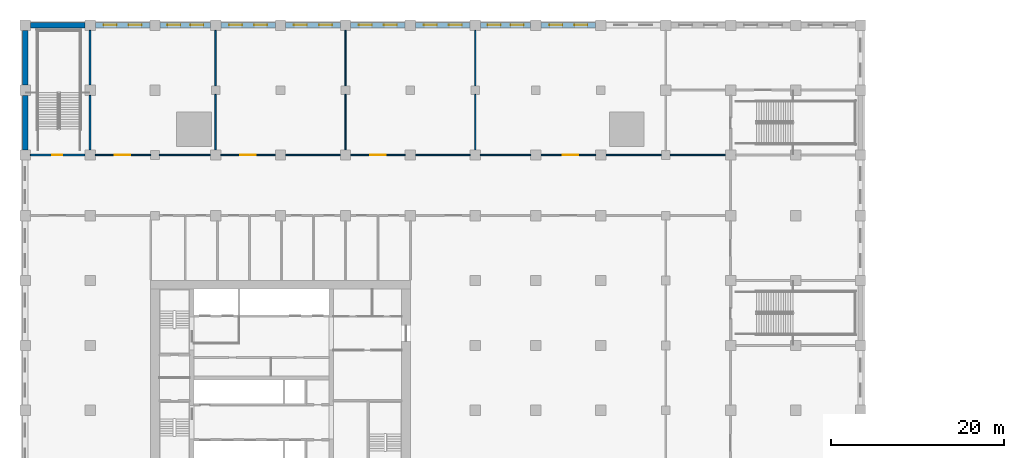
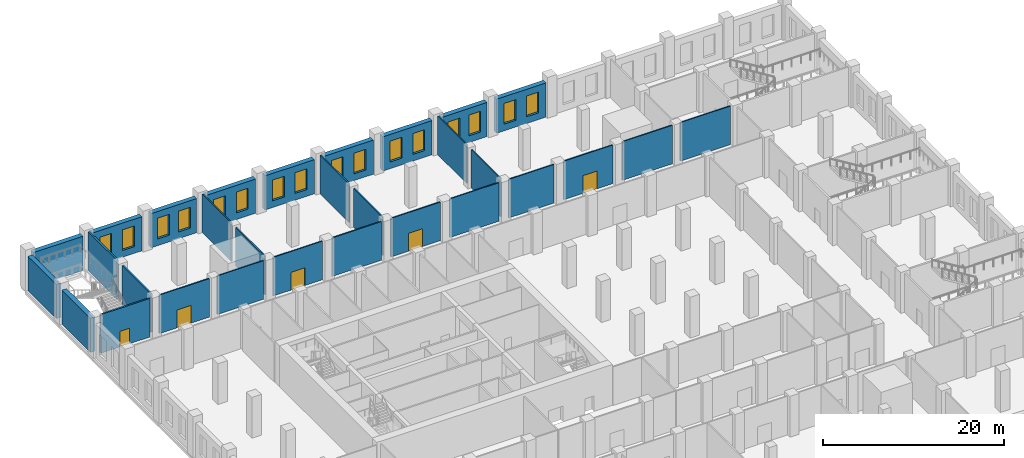
# One storey, part 12 of 35: 30 walls, 16 windows, 5 doors, 21 openings.
"""IFC4 building model written with IfcOpenShell, lengths in metres."""

from ifc_helpers import new_model, si_unit, direction, frame, frame_2d, origin, place, context, subcontext, project, spatial, rectangle, extrude, material, layer, layer_set, type_object, element, fill, save


model = new_model("IFC4")

# Units and contexts
model_context = context("Model", 3, precision=1e-05, world=origin(), true_north=direction((0.0, 1.0)))
body_context = subcontext(model_context, "Body", "Model", "MODEL_VIEW")
ifc_project = project(units=[si_unit("LENGTHUNIT", "METRE"), si_unit("AREAUNIT", "SQUARE_METRE"), si_unit("VOLUMEUNIT", "CUBIC_METRE"), si_unit("PLANEANGLEUNIT", "RADIAN"), si_unit("MASSUNIT", "GRAM", prefix="KILO")], contexts=[model_context])

# Site, building, storey
site_placement = place(None, origin())
site = spatial("IfcSite", under=ifc_project, at=site_placement, CompositionType="ELEMENT")
building_placement = place(site_placement, origin())
building = spatial("IfcBuilding", under=site, at=building_placement, Name="Tamorin Gate", CompositionType="ELEMENT")
storey_placement = place(building_placement, frame((0.0, 0.0, 8.0)))
storey = spatial("IfcBuildingStorey", under=building, at=storey_placement, Name="L01", CompositionType="ELEMENT", Elevation=8.0)

# Wall, opening, door
ifc_material_1 = material(Name="Concrete masonry C20/25", Category="masonry")
ifc_layer_1 = layer(ifc_material_1, 0.14990234375)
ifc_layer_set_1 = layer_set([ifc_layer_1], Name="Partition 150")
wall_type_1 = type_object("IfcWallType", Name="Partition 150", PredefinedType="PARTITIONING", material=ifc_layer_set_1)
wall_1_placement = place(storey_placement, frame((30.0, 97.0, 0.0), z_axis=(0.0, 0.0, 1.0), x_axis=(-1.0, 0.0, 0.0)))
wall_1 = element("IfcWall", 1, at=wall_1_placement, inside=storey, type_object=wall_type_1, Name="Partition 150 L01", PredefinedType="PARTITIONING", context=body_context, shape_type="SweptSolid", body=[
    extrude(rectangle(XDim=6.39990234375, YDim=0.14990234375, at=frame_2d((3.199951171875, 0.0))), origin(), (0.0, 0.0, 1.0), 5.199951171875),
])
opening_1_placement = place(wall_1_placement, frame((2.35009765625, 0.0, 0.0)))
opening_1 = element("IfcOpeningElement", 2, at=opening_1_placement, cuts=wall_1, Name="Opening DP3", PredefinedType="OPENING", context=body_context, shape_type="SweptSolid", body=[
    extrude(rectangle(XDim=1.800048828125, YDim=2.39990234375, at=frame_2d((0.89990234375, 1.199951171875))), frame((0.0, 0.0849609375, 0.0), z_axis=(0.0, -1.0, 0.0), x_axis=(1.0, 0.0, 0.0)), (0.0, 0.0, 1.0), 0.169921875),
])
ifc_material_2 = material(Name="Steel and glass", Category="steel")
door_type_1 = type_object("IfcDoorType", Name="Door pair 1800", OperationType="DOUBLE_DOOR_SINGLE_SWING", PredefinedType="DOOR", material=ifc_material_2)
door_1_placement = place(opening_1_placement, origin())
door_1 = element("IfcDoor", 3, at=door_1_placement, inside=storey, type_object=door_type_1, Name="Door pair 1800 L01", OperationType="SINGLE_SWING_LEFT", OverallHeight=2.39990234375, OverallWidth=1.800048828125, PredefinedType="DOOR", context=body_context, shape_type="SweptSolid", body=[
    extrude(rectangle(XDim=1.800048828125, YDim=2.39990234375, at=frame_2d((0.89990234375, 1.199951171875))), frame((0.0, 0.02490234375, 0.0), z_axis=(0.0, -1.0, 0.0), x_axis=(1.0, 0.0, 0.0)), (0.0, 0.0, 1.0), 0.050048828125),
])
fill(opening_1, door_1)

# Wall
wall_2_placement = place(storey_placement, frame((31.0, 97.0, 0.0), z_axis=(0.0, 0.0, 1.0), x_axis=(1.0, 0.0, 0.0)))
element("IfcWall", 4, at=wall_2_placement, inside=storey, type_object=wall_type_1, Name="Partition 150 L01", PredefinedType="PARTITIONING", context=body_context, shape_type="SweptSolid", body=[
    extrude(rectangle(XDim=5.89990234375, YDim=0.14990234375, at=frame_2d((2.949951171875, 0.0))), origin(), (0.0, 0.0, 1.0), 5.199951171875),
])

# Wall, opening, door
wall_3_placement = place(storey_placement, frame((44.39990234375, 97.0, 0.0), z_axis=(0.0, 0.0, 1.0), x_axis=(-1.0, 0.0, 0.0)))
wall_3 = element("IfcWall", 5, at=wall_3_placement, inside=storey, type_object=wall_type_1, Name="Partition 150 L01", PredefinedType="PARTITIONING", context=body_context, shape_type="SweptSolid", body=[
    extrude(rectangle(XDim=6.2998046875, YDim=0.14990234375, at=frame_2d((3.14990234375, 0.0))), origin(), (0.0, 0.0, 1.0), 5.199951171875),
])
opening_2_placement = place(wall_3_placement, frame((2.25, 0.0, 0.0)))
opening_2 = element("IfcOpeningElement", 6, at=opening_2_placement, cuts=wall_3, Name="Opening DP3", PredefinedType="OPENING", context=body_context, shape_type="SweptSolid", body=[
    extrude(rectangle(XDim=1.800048828125, YDim=2.39990234375, at=frame_2d((0.89990234375, 1.199951171875))), frame((0.0, 0.0849609375, 0.0), z_axis=(0.0, -1.0, 0.0), x_axis=(1.0, 0.0, 0.0)), (0.0, 0.0, 1.0), 0.169921875),
])
door_2_placement = place(opening_2_placement, origin())
door_2 = element("IfcDoor", 7, at=door_2_placement, inside=storey, type_object=door_type_1, Name="Door pair 1800 L01", OperationType="SINGLE_SWING_LEFT", OverallHeight=2.39990234375, OverallWidth=1.800048828125, PredefinedType="DOOR", context=body_context, shape_type="SweptSolid", body=[
    extrude(rectangle(XDim=1.800048828125, YDim=2.39990234375, at=frame_2d((0.89990234375, 1.199951171875))), frame((0.0, 0.02490234375, 0.0), z_axis=(0.0, -1.0, 0.0), x_axis=(1.0, 0.0, 0.0)), (0.0, 0.0, 1.0), 0.050048828125),
])
fill(opening_2, door_2)

# Wall
wall_4_placement = place(storey_placement, frame((45.60009765625, 97.0, 0.0), z_axis=(0.0, 0.0, 1.0), x_axis=(1.0, 0.0, 0.0)))
element("IfcWall", 8, at=wall_4_placement, inside=storey, type_object=wall_type_1, Name="Partition 150 L01", PredefinedType="PARTITIONING", context=body_context, shape_type="SweptSolid", body=[
    extrude(rectangle(XDim=6.2998046875, YDim=0.14990234375, at=frame_2d((3.14990234375, 0.0))), origin(), (0.0, 0.0, 1.0), 5.199951171875),
])

# Wall, opening, door
wall_5_placement = place(storey_placement, frame((59.39990234375, 97.0, 0.0), z_axis=(0.0, 0.0, 1.0), x_axis=(-1.0, 0.0, 0.0)))
wall_5 = element("IfcWall", 9, at=wall_5_placement, inside=storey, type_object=wall_type_1, Name="Partition 150 L01", PredefinedType="PARTITIONING", context=body_context, shape_type="SweptSolid", body=[
    extrude(rectangle(XDim=6.2998046875, YDim=0.14990234375, at=frame_2d((3.14990234375, 0.0))), origin(), (0.0, 0.0, 1.0), 5.199951171875),
])
opening_3_placement = place(wall_5_placement, frame((2.25, 0.0, 0.0)))
opening_3 = element("IfcOpeningElement", 10, at=opening_3_placement, cuts=wall_5, Name="Opening DP3", PredefinedType="OPENING", context=body_context, shape_type="SweptSolid", body=[
    extrude(rectangle(XDim=1.800048828125, YDim=2.39990234375, at=frame_2d((0.89990234375, 1.199951171875))), frame((0.0, 0.0849609375, 0.0), z_axis=(0.0, -1.0, 0.0), x_axis=(1.0, 0.0, 0.0)), (0.0, 0.0, 1.0), 0.169921875),
])
door_3_placement = place(opening_3_placement, origin())
door_3 = element("IfcDoor", 11, at=door_3_placement, inside=storey, type_object=door_type_1, Name="Door pair 1800 L01", OperationType="SINGLE_SWING_LEFT", OverallHeight=2.39990234375, OverallWidth=1.800048828125, PredefinedType="DOOR", context=body_context, shape_type="SweptSolid", body=[
    extrude(rectangle(XDim=1.800048828125, YDim=2.39990234375, at=frame_2d((0.89990234375, 1.199951171875))), frame((0.0, 0.02490234375, 0.0), z_axis=(0.0, -1.0, 0.0), x_axis=(1.0, 0.0, 0.0)), (0.0, 0.0, 1.0), 0.050048828125),
])
fill(opening_3, door_3)

# Walls
wall_6_placement = place(storey_placement, frame((60.60009765625, 97.0, 0.0), z_axis=(0.0, 0.0, 1.0), x_axis=(1.0, 0.0, 0.0)))
element("IfcWall", 12, at=wall_6_placement, inside=storey, type_object=wall_type_1, Name="Partition 150 L01", PredefinedType="PARTITIONING", context=body_context, shape_type="SweptSolid", body=[
    extrude(rectangle(XDim=6.2998046875, YDim=0.14990234375, at=frame_2d((3.14990234375, 0.0))), origin(), (0.0, 0.0, 1.0), 5.199951171875),
])
wall_7_placement = place(storey_placement, frame((68.10009765625, 97.0, 0.0), z_axis=(0.0, 0.0, 1.0), x_axis=(1.0, 0.0, 0.0)))
element("IfcWall", 13, at=wall_7_placement, inside=storey, type_object=wall_type_1, Name="Partition 150 L01", PredefinedType="PARTITIONING", context=body_context, shape_type="SweptSolid", body=[
    extrude(rectangle(XDim=5.7998046875, YDim=0.14990234375, at=frame_2d((2.89990234375, 0.0))), origin(), (0.0, 0.0, 1.0), 5.199951171875),
])

# Wall, opening, door
wall_8_placement = place(storey_placement, frame((81.39990234375, 97.0, 0.0), z_axis=(0.0, 0.0, 1.0), x_axis=(-1.0, 0.0, 0.0)))
wall_8 = element("IfcWall", 14, at=wall_8_placement, inside=storey, type_object=wall_type_1, Name="Partition 150 L01", PredefinedType="PARTITIONING", context=body_context, shape_type="SweptSolid", body=[
    extrude(rectangle(XDim=6.2998046875, YDim=0.14990234375, at=frame_2d((3.14990234375, 0.0))), origin(), (0.0, 0.0, 1.0), 5.199951171875),
])
opening_4_placement = place(wall_8_placement, frame((2.0, 0.0, 0.0)))
opening_4 = element("IfcOpeningElement", 15, at=opening_4_placement, cuts=wall_8, Name="Opening DP3", PredefinedType="OPENING", context=body_context, shape_type="SweptSolid", body=[
    extrude(rectangle(XDim=1.800048828125, YDim=2.39990234375, at=frame_2d((0.89990234375, 1.199951171875))), frame((0.0, 0.0849609375, 0.0), z_axis=(0.0, -1.0, 0.0), x_axis=(1.0, 0.0, 0.0)), (0.0, 0.0, 1.0), 0.169921875),
])
door_4_placement = place(opening_4_placement, origin())
door_4 = element("IfcDoor", 16, at=door_4_placement, inside=storey, type_object=door_type_1, Name="Door pair 1800 L01", OperationType="SINGLE_SWING_LEFT", OverallHeight=2.39990234375, OverallWidth=1.800048828125, PredefinedType="DOOR", context=body_context, shape_type="SweptSolid", body=[
    extrude(rectangle(XDim=1.800048828125, YDim=2.39990234375, at=frame_2d((0.89990234375, 1.199951171875))), frame((0.0, 0.02490234375, 0.0), z_axis=(0.0, -1.0, 0.0), x_axis=(1.0, 0.0, 0.0)), (0.0, 0.0, 1.0), 0.050048828125),
])
fill(opening_4, door_4)

# Walls
for number, where, z_axis, x_axis, name in (
    (17, (82.60009765625, 97.0, 0.0), (0.0, 0.0, 1.0), (1.0, 0.0, 0.0), "Partition 150 L01"),
    (18, (90.0, 97.0, 0.0), (0.0, 0.0, 1.0), (1.0, 0.0, 0.0), "Partition 150 L01"),
    (19, (52.5, 97.60009765625, 0.0), (0.0, 0.0, 1.0), (0.0, 1.0, 0.0), "Partition 150 L01"),
    (20, (52.5, 105.0, 0.0), (0.0, 0.0, 1.0), (0.0, 1.0, 0.0), "Partition 150 L01"),
    (21, (37.5, 97.60009765625, 0.0), (0.0, 0.0, 1.0), (0.0, 1.0, 0.0), "Partition 150 L01"),
    (22, (37.5, 105.0, 0.0), (0.0, 0.0, 1.0), (0.0, 1.0, 0.0), "Partition 150 L01"),
    (23, (67.5, 97.60009765625, 0.0), (0.0, 0.0, 1.0), (0.0, 1.0, 0.0), "Partition 150 L01"),
    (24, (67.5, 105.0, 0.0), (0.0, 0.0, 1.0), (0.0, 1.0, 0.0), "Partition 150 L01"),
):
    element("IfcWall", number, at=place(storey_placement, frame(where, z_axis=z_axis, x_axis=x_axis)), inside=storey, type_object=wall_type_1, Name=name, PredefinedType="PARTITIONING", context=body_context, shape_type="SweptSolid", body=[
        extrude(rectangle(XDim=6.39990234375, YDim=0.14990234375, at=frame_2d((3.199951171875, 0.0))), origin(), (0.0, 0.0, 1.0), 5.199951171875),
    ])
ifc_material_3 = material(Name="Precast concrete C40/50", Category="concrete")
ifc_layer_2 = layer(ifc_material_3, 0.60009765625)
ifc_layer_set_2 = layer_set([ifc_layer_2], Name="Precast concrete C40/50")
wall_type_2 = type_object("IfcWallType", Name="Precast plinth wall 600", PredefinedType="PARTITIONING", material=ifc_layer_set_2)
wall_9_placement = place(storey_placement, frame((16.10009765625, 112.0, 0.0), z_axis=(0.0, 0.0, 1.0), x_axis=(1.0, 0.0, 0.0)))
element("IfcWall", 25, at=wall_9_placement, inside=storey, type_object=wall_type_2, Name="Precast plinth wall 600 L01", PredefinedType="PARTITIONING", context=body_context, shape_type="SweptSolid", body=[
    extrude(rectangle(XDim=6.2998046875, YDim=0.60009765625, at=frame_2d((3.14990234375, 0.0))), origin(), (0.0, 0.0, 1.0), 4.60009765625),
])

# Wall, openings, windows
wall_10_placement = place(storey_placement, frame((23.60009765625, 112.0, 0.0), z_axis=(0.0, 0.0, 1.0), x_axis=(1.0, 0.0, 0.0)))
wall_10 = element("IfcWall", 26, at=wall_10_placement, inside=storey, type_object=wall_type_2, Name="Precast plinth wall 600 L01", PredefinedType="PARTITIONING", context=body_context, shape_type="SweptSolid", body=[
    extrude(rectangle(XDim=6.2998046875, YDim=0.60009765625, at=frame_2d((3.14990234375, 0.0))), origin(), (0.0, 0.0, 1.0), 4.60009765625),
])
opening_5_placement = place(wall_10_placement, frame((0.950927734375, 0.0, 0.89990234375)))
opening_5 = element("IfcOpeningElement", 27, at=opening_5_placement, cuts=wall_10, Name="Opening PWN5", PredefinedType="OPENING", context=body_context, shape_type="SweptSolid", body=[
    extrude(rectangle(XDim=1.5, YDim=2.800048828125, at=frame_2d((0.75, 1.39990234375))), frame((0.0, 0.31005859375, 0.0), z_axis=(0.0, -1.0, 0.0), x_axis=(1.0, 0.0, 0.0)), (0.0, 0.0, 1.0), 0.6201171875),
])
opening_6_placement = place(wall_10_placement, frame((3.84912109375, 0.0, 0.89990234375)))
opening_6 = element("IfcOpeningElement", 28, at=opening_6_placement, cuts=wall_10, Name="Opening PWN5", PredefinedType="OPENING", context=body_context, shape_type="SweptSolid", body=[
    extrude(rectangle(XDim=1.5, YDim=2.800048828125, at=frame_2d((0.75, 1.39990234375))), frame((0.0, 0.31005859375, 0.0), z_axis=(0.0, -1.0, 0.0), x_axis=(1.0, 0.0, 0.0)), (0.0, 0.0, 1.0), 0.6201171875),
])
ifc_material_4 = material(Name="Aluminium and glass", Category="aluminium")
window_type = type_object("IfcWindowType", Name="Plinth window 1500x2800", PartitioningType="DOUBLE_PANEL_VERTICAL", PredefinedType="WINDOW", material=ifc_material_4)
window_1_placement = place(opening_5_placement, origin())
window_1 = element("IfcWindow", 29, at=window_1_placement, inside=storey, type_object=window_type, Name="Plinth window 1500x2800", OverallHeight=2.800048828125, OverallWidth=1.5, PartitioningType="SINGLE_PANEL", PredefinedType="WINDOW", context=body_context, shape_type="SweptSolid", body=[
    extrude(rectangle(XDim=1.5, YDim=2.800048828125, at=frame_2d((0.75, 1.39990234375))), frame((0.0, 0.030029296875, 0.0), z_axis=(0.0, -1.0, 0.0), x_axis=(1.0, 0.0, 0.0)), (0.0, 0.0, 1.0), 0.06005859375),
])
fill(opening_5, window_1)
window_2_placement = place(opening_6_placement, origin())
window_2 = element("IfcWindow", 30, at=window_2_placement, inside=storey, type_object=window_type, Name="Plinth window 1500x2800", OverallHeight=2.800048828125, OverallWidth=1.5, PartitioningType="SINGLE_PANEL", PredefinedType="WINDOW", context=body_context, shape_type="SweptSolid", body=[
    extrude(rectangle(XDim=1.5, YDim=2.800048828125, at=frame_2d((0.75, 1.39990234375))), frame((0.0, 0.030029296875, 0.0), z_axis=(0.0, -1.0, 0.0), x_axis=(1.0, 0.0, 0.0)), (0.0, 0.0, 1.0), 0.06005859375),
])
fill(opening_6, window_2)

wall_11_placement = place(storey_placement, frame((31.10009765625, 112.0, 0.0), z_axis=(0.0, 0.0, 1.0), x_axis=(1.0, 0.0, 0.0)))
wall_11 = element("IfcWall", 31, at=wall_11_placement, inside=storey, type_object=wall_type_2, Name="Precast plinth wall 600 L01", PredefinedType="PARTITIONING", context=body_context, shape_type="SweptSolid", body=[
    extrude(rectangle(XDim=5.7998046875, YDim=0.60009765625, at=frame_2d((2.89990234375, 0.0))), origin(), (0.0, 0.0, 1.0), 4.60009765625),
])
opening_7_placement = place(wall_11_placement, frame((0.81591796875, 0.0, 0.89990234375)))
opening_7 = element("IfcOpeningElement", 32, at=opening_7_placement, cuts=wall_11, Name="Opening PWN5", PredefinedType="OPENING", context=body_context, shape_type="SweptSolid", body=[
    extrude(rectangle(XDim=1.5, YDim=2.800048828125, at=frame_2d((0.75, 1.39990234375))), frame((0.0, 0.31005859375, 0.0), z_axis=(0.0, -1.0, 0.0), x_axis=(1.0, 0.0, 0.0)), (0.0, 0.0, 1.0), 0.6201171875),
])
opening_8_placement = place(wall_11_placement, frame((3.48388671875, 0.0, 0.89990234375)))
opening_8 = element("IfcOpeningElement", 33, at=opening_8_placement, cuts=wall_11, Name="Opening PWN5", PredefinedType="OPENING", context=body_context, shape_type="SweptSolid", body=[
    extrude(rectangle(XDim=1.5, YDim=2.800048828125, at=frame_2d((0.75, 1.39990234375))), frame((0.0, 0.31005859375, 0.0), z_axis=(0.0, -1.0, 0.0), x_axis=(1.0, 0.0, 0.0)), (0.0, 0.0, 1.0), 0.6201171875),
])
window_3_placement = place(opening_7_placement, origin())
window_3 = element("IfcWindow", 34, at=window_3_placement, inside=storey, type_object=window_type, Name="Plinth window 1500x2800", OverallHeight=2.800048828125, OverallWidth=1.5, PartitioningType="SINGLE_PANEL", PredefinedType="WINDOW", context=body_context, shape_type="SweptSolid", body=[
    extrude(rectangle(XDim=1.5, YDim=2.800048828125, at=frame_2d((0.75, 1.39990234375))), frame((0.0, 0.030029296875, 0.0), z_axis=(0.0, -1.0, 0.0), x_axis=(1.0, 0.0, 0.0)), (0.0, 0.0, 1.0), 0.06005859375),
])
fill(opening_7, window_3)
window_4_placement = place(opening_8_placement, origin())
window_4 = element("IfcWindow", 35, at=window_4_placement, inside=storey, type_object=window_type, Name="Plinth window 1500x2800", OverallHeight=2.800048828125, OverallWidth=1.5, PartitioningType="SINGLE_PANEL", PredefinedType="WINDOW", context=body_context, shape_type="SweptSolid", body=[
    extrude(rectangle(XDim=1.5, YDim=2.800048828125, at=frame_2d((0.75, 1.39990234375))), frame((0.0, 0.030029296875, 0.0), z_axis=(0.0, -1.0, 0.0), x_axis=(1.0, 0.0, 0.0)), (0.0, 0.0, 1.0), 0.06005859375),
])
fill(opening_8, window_4)

wall_12_placement = place(storey_placement, frame((38.10009765625, 112.0, 0.0), z_axis=(0.0, 0.0, 1.0), x_axis=(1.0, 0.0, 0.0)))
wall_12 = element("IfcWall", 36, at=wall_12_placement, inside=storey, type_object=wall_type_2, Name="Precast plinth wall 600 L01", PredefinedType="PARTITIONING", context=body_context, shape_type="SweptSolid", body=[
    extrude(rectangle(XDim=6.2998046875, YDim=0.60009765625, at=frame_2d((3.14990234375, 0.0))), origin(), (0.0, 0.0, 1.0), 4.60009765625),
])
opening_9_placement = place(wall_12_placement, frame((0.950927734375, 0.0, 0.89990234375)))
opening_9 = element("IfcOpeningElement", 37, at=opening_9_placement, cuts=wall_12, Name="Opening PWN5", PredefinedType="OPENING", context=body_context, shape_type="SweptSolid", body=[
    extrude(rectangle(XDim=1.5, YDim=2.800048828125, at=frame_2d((0.75, 1.39990234375))), frame((0.0, 0.31005859375, 0.0), z_axis=(0.0, -1.0, 0.0), x_axis=(1.0, 0.0, 0.0)), (0.0, 0.0, 1.0), 0.6201171875),
])
opening_10_placement = place(wall_12_placement, frame((3.84912109375, 0.0, 0.89990234375)))
opening_10 = element("IfcOpeningElement", 38, at=opening_10_placement, cuts=wall_12, Name="Opening PWN5", PredefinedType="OPENING", context=body_context, shape_type="SweptSolid", body=[
    extrude(rectangle(XDim=1.5, YDim=2.800048828125, at=frame_2d((0.75, 1.39990234375))), frame((0.0, 0.31005859375, 0.0), z_axis=(0.0, -1.0, 0.0), x_axis=(1.0, 0.0, 0.0)), (0.0, 0.0, 1.0), 0.6201171875),
])
window_5_placement = place(opening_9_placement, origin())
window_5 = element("IfcWindow", 39, at=window_5_placement, inside=storey, type_object=window_type, Name="Plinth window 1500x2800", OverallHeight=2.800048828125, OverallWidth=1.5, PartitioningType="SINGLE_PANEL", PredefinedType="WINDOW", context=body_context, shape_type="SweptSolid", body=[
    extrude(rectangle(XDim=1.5, YDim=2.800048828125, at=frame_2d((0.75, 1.39990234375))), frame((0.0, 0.030029296875, 0.0), z_axis=(0.0, -1.0, 0.0), x_axis=(1.0, 0.0, 0.0)), (0.0, 0.0, 1.0), 0.06005859375),
])
fill(opening_9, window_5)
window_6_placement = place(opening_10_placement, origin())
window_6 = element("IfcWindow", 40, at=window_6_placement, inside=storey, type_object=window_type, Name="Plinth window 1500x2800", OverallHeight=2.800048828125, OverallWidth=1.5, PartitioningType="SINGLE_PANEL", PredefinedType="WINDOW", context=body_context, shape_type="SweptSolid", body=[
    extrude(rectangle(XDim=1.5, YDim=2.800048828125, at=frame_2d((0.75, 1.39990234375))), frame((0.0, 0.030029296875, 0.0), z_axis=(0.0, -1.0, 0.0), x_axis=(1.0, 0.0, 0.0)), (0.0, 0.0, 1.0), 0.06005859375),
])
fill(opening_10, window_6)

wall_13_placement = place(storey_placement, frame((45.60009765625, 112.0, 0.0), z_axis=(0.0, 0.0, 1.0), x_axis=(1.0, 0.0, 0.0)))
wall_13 = element("IfcWall", 41, at=wall_13_placement, inside=storey, type_object=wall_type_2, Name="Precast plinth wall 600 L01", PredefinedType="PARTITIONING", context=body_context, shape_type="SweptSolid", body=[
    extrude(rectangle(XDim=6.2998046875, YDim=0.60009765625, at=frame_2d((3.14990234375, 0.0))), origin(), (0.0, 0.0, 1.0), 4.60009765625),
])
opening_11_placement = place(wall_13_placement, frame((0.950927734375, 0.0, 0.89990234375)))
opening_11 = element("IfcOpeningElement", 42, at=opening_11_placement, cuts=wall_13, Name="Opening PWN5", PredefinedType="OPENING", context=body_context, shape_type="SweptSolid", body=[
    extrude(rectangle(XDim=1.5, YDim=2.800048828125, at=frame_2d((0.75, 1.39990234375))), frame((0.0, 0.31005859375, 0.0), z_axis=(0.0, -1.0, 0.0), x_axis=(1.0, 0.0, 0.0)), (0.0, 0.0, 1.0), 0.6201171875),
])
opening_12_placement = place(wall_13_placement, frame((3.84912109375, 0.0, 0.89990234375)))
opening_12 = element("IfcOpeningElement", 43, at=opening_12_placement, cuts=wall_13, Name="Opening PWN5", PredefinedType="OPENING", context=body_context, shape_type="SweptSolid", body=[
    extrude(rectangle(XDim=1.5, YDim=2.800048828125, at=frame_2d((0.75, 1.39990234375))), frame((0.0, 0.31005859375, 0.0), z_axis=(0.0, -1.0, 0.0), x_axis=(1.0, 0.0, 0.0)), (0.0, 0.0, 1.0), 0.6201171875),
])
window_7_placement = place(opening_11_placement, origin())
window_7 = element("IfcWindow", 44, at=window_7_placement, inside=storey, type_object=window_type, Name="Plinth window 1500x2800", OverallHeight=2.800048828125, OverallWidth=1.5, PartitioningType="SINGLE_PANEL", PredefinedType="WINDOW", context=body_context, shape_type="SweptSolid", body=[
    extrude(rectangle(XDim=1.5, YDim=2.800048828125, at=frame_2d((0.75, 1.39990234375))), frame((0.0, 0.030029296875, 0.0), z_axis=(0.0, -1.0, 0.0), x_axis=(1.0, 0.0, 0.0)), (0.0, 0.0, 1.0), 0.06005859375),
])
fill(opening_11, window_7)
window_8_placement = place(opening_12_placement, origin())
window_8 = element("IfcWindow", 45, at=window_8_placement, inside=storey, type_object=window_type, Name="Plinth window 1500x2800", OverallHeight=2.800048828125, OverallWidth=1.5, PartitioningType="SINGLE_PANEL", PredefinedType="WINDOW", context=body_context, shape_type="SweptSolid", body=[
    extrude(rectangle(XDim=1.5, YDim=2.800048828125, at=frame_2d((0.75, 1.39990234375))), frame((0.0, 0.030029296875, 0.0), z_axis=(0.0, -1.0, 0.0), x_axis=(1.0, 0.0, 0.0)), (0.0, 0.0, 1.0), 0.06005859375),
])
fill(opening_12, window_8)

wall_14_placement = place(storey_placement, frame((53.10009765625, 112.0, 0.0), z_axis=(0.0, 0.0, 1.0), x_axis=(1.0, 0.0, 0.0)))
wall_14 = element("IfcWall", 46, at=wall_14_placement, inside=storey, type_object=wall_type_2, Name="Precast plinth wall 600 L01", PredefinedType="PARTITIONING", context=body_context, shape_type="SweptSolid", body=[
    extrude(rectangle(XDim=6.2998046875, YDim=0.60009765625, at=frame_2d((3.14990234375, 0.0))), origin(), (0.0, 0.0, 1.0), 4.60009765625),
])
opening_13_placement = place(wall_14_placement, frame((0.950927734375, 0.0, 0.89990234375)))
opening_13 = element("IfcOpeningElement", 47, at=opening_13_placement, cuts=wall_14, Name="Opening PWN5", PredefinedType="OPENING", context=body_context, shape_type="SweptSolid", body=[
    extrude(rectangle(XDim=1.5, YDim=2.800048828125, at=frame_2d((0.75, 1.39990234375))), frame((0.0, 0.31005859375, 0.0), z_axis=(0.0, -1.0, 0.0), x_axis=(1.0, 0.0, 0.0)), (0.0, 0.0, 1.0), 0.6201171875),
])
opening_14_placement = place(wall_14_placement, frame((3.84912109375, 0.0, 0.89990234375)))
opening_14 = element("IfcOpeningElement", 48, at=opening_14_placement, cuts=wall_14, Name="Opening PWN5", PredefinedType="OPENING", context=body_context, shape_type="SweptSolid", body=[
    extrude(rectangle(XDim=1.5, YDim=2.800048828125, at=frame_2d((0.75, 1.39990234375))), frame((0.0, 0.31005859375, 0.0), z_axis=(0.0, -1.0, 0.0), x_axis=(1.0, 0.0, 0.0)), (0.0, 0.0, 1.0), 0.6201171875),
])
window_9_placement = place(opening_13_placement, origin())
window_9 = element("IfcWindow", 49, at=window_9_placement, inside=storey, type_object=window_type, Name="Plinth window 1500x2800", OverallHeight=2.800048828125, OverallWidth=1.5, PartitioningType="SINGLE_PANEL", PredefinedType="WINDOW", context=body_context, shape_type="SweptSolid", body=[
    extrude(rectangle(XDim=1.5, YDim=2.800048828125, at=frame_2d((0.75, 1.39990234375))), frame((0.0, 0.030029296875, 0.0), z_axis=(0.0, -1.0, 0.0), x_axis=(1.0, 0.0, 0.0)), (0.0, 0.0, 1.0), 0.06005859375),
])
fill(opening_13, window_9)
window_10_placement = place(opening_14_placement, origin())
window_10 = element("IfcWindow", 50, at=window_10_placement, inside=storey, type_object=window_type, Name="Plinth window 1500x2800", OverallHeight=2.800048828125, OverallWidth=1.5, PartitioningType="SINGLE_PANEL", PredefinedType="WINDOW", context=body_context, shape_type="SweptSolid", body=[
    extrude(rectangle(XDim=1.5, YDim=2.800048828125, at=frame_2d((0.75, 1.39990234375))), frame((0.0, 0.030029296875, 0.0), z_axis=(0.0, -1.0, 0.0), x_axis=(1.0, 0.0, 0.0)), (0.0, 0.0, 1.0), 0.06005859375),
])
fill(opening_14, window_10)

wall_15_placement = place(storey_placement, frame((60.60009765625, 112.0, 0.0), z_axis=(0.0, 0.0, 1.0), x_axis=(1.0, 0.0, 0.0)))
wall_15 = element("IfcWall", 51, at=wall_15_placement, inside=storey, type_object=wall_type_2, Name="Precast plinth wall 600 L01", PredefinedType="PARTITIONING", context=body_context, shape_type="SweptSolid", body=[
    extrude(rectangle(XDim=6.2998046875, YDim=0.60009765625, at=frame_2d((3.14990234375, 0.0))), origin(), (0.0, 0.0, 1.0), 4.60009765625),
])
opening_15_placement = place(wall_15_placement, frame((0.950927734375, 0.0, 0.89990234375)))
opening_15 = element("IfcOpeningElement", 52, at=opening_15_placement, cuts=wall_15, Name="Opening PWN5", PredefinedType="OPENING", context=body_context, shape_type="SweptSolid", body=[
    extrude(rectangle(XDim=1.5, YDim=2.800048828125, at=frame_2d((0.75, 1.39990234375))), frame((0.0, 0.31005859375, 0.0), z_axis=(0.0, -1.0, 0.0), x_axis=(1.0, 0.0, 0.0)), (0.0, 0.0, 1.0), 0.6201171875),
])
opening_16_placement = place(wall_15_placement, frame((3.84912109375, 0.0, 0.89990234375)))
opening_16 = element("IfcOpeningElement", 53, at=opening_16_placement, cuts=wall_15, Name="Opening PWN5", PredefinedType="OPENING", context=body_context, shape_type="SweptSolid", body=[
    extrude(rectangle(XDim=1.5, YDim=2.800048828125, at=frame_2d((0.75, 1.39990234375))), frame((0.0, 0.31005859375, 0.0), z_axis=(0.0, -1.0, 0.0), x_axis=(1.0, 0.0, 0.0)), (0.0, 0.0, 1.0), 0.6201171875),
])
window_11_placement = place(opening_15_placement, origin())
window_11 = element("IfcWindow", 54, at=window_11_placement, inside=storey, type_object=window_type, Name="Plinth window 1500x2800", OverallHeight=2.800048828125, OverallWidth=1.5, PartitioningType="SINGLE_PANEL", PredefinedType="WINDOW", context=body_context, shape_type="SweptSolid", body=[
    extrude(rectangle(XDim=1.5, YDim=2.800048828125, at=frame_2d((0.75, 1.39990234375))), frame((0.0, 0.030029296875, 0.0), z_axis=(0.0, -1.0, 0.0), x_axis=(1.0, 0.0, 0.0)), (0.0, 0.0, 1.0), 0.06005859375),
])
fill(opening_15, window_11)
window_12_placement = place(opening_16_placement, origin())
window_12 = element("IfcWindow", 55, at=window_12_placement, inside=storey, type_object=window_type, Name="Plinth window 1500x2800", OverallHeight=2.800048828125, OverallWidth=1.5, PartitioningType="SINGLE_PANEL", PredefinedType="WINDOW", context=body_context, shape_type="SweptSolid", body=[
    extrude(rectangle(XDim=1.5, YDim=2.800048828125, at=frame_2d((0.75, 1.39990234375))), frame((0.0, 0.030029296875, 0.0), z_axis=(0.0, -1.0, 0.0), x_axis=(1.0, 0.0, 0.0)), (0.0, 0.0, 1.0), 0.06005859375),
])
fill(opening_16, window_12)

wall_16_placement = place(storey_placement, frame((68.10009765625, 112.0, 0.0), z_axis=(0.0, 0.0, 1.0), x_axis=(1.0, 0.0, 0.0)))
wall_16 = element("IfcWall", 56, at=wall_16_placement, inside=storey, type_object=wall_type_2, Name="Precast plinth wall 600 L01", PredefinedType="PARTITIONING", context=body_context, shape_type="SweptSolid", body=[
    extrude(rectangle(XDim=5.7998046875, YDim=0.60009765625, at=frame_2d((2.89990234375, 0.0))), origin(), (0.0, 0.0, 1.0), 4.60009765625),
])
opening_17_placement = place(wall_16_placement, frame((0.81591796875, 0.0, 0.89990234375)))
opening_17 = element("IfcOpeningElement", 57, at=opening_17_placement, cuts=wall_16, Name="Opening PWN5", PredefinedType="OPENING", context=body_context, shape_type="SweptSolid", body=[
    extrude(rectangle(XDim=1.5, YDim=2.800048828125, at=frame_2d((0.75, 1.39990234375))), frame((0.0, 0.31005859375, 0.0), z_axis=(0.0, -1.0, 0.0), x_axis=(1.0, 0.0, 0.0)), (0.0, 0.0, 1.0), 0.6201171875),
])
opening_18_placement = place(wall_16_placement, frame((3.48388671875, 0.0, 0.89990234375)))
opening_18 = element("IfcOpeningElement", 58, at=opening_18_placement, cuts=wall_16, Name="Opening PWN5", PredefinedType="OPENING", context=body_context, shape_type="SweptSolid", body=[
    extrude(rectangle(XDim=1.5, YDim=2.800048828125, at=frame_2d((0.75, 1.39990234375))), frame((0.0, 0.31005859375, 0.0), z_axis=(0.0, -1.0, 0.0), x_axis=(1.0, 0.0, 0.0)), (0.0, 0.0, 1.0), 0.6201171875),
])
window_13_placement = place(opening_17_placement, origin())
window_13 = element("IfcWindow", 59, at=window_13_placement, inside=storey, type_object=window_type, Name="Plinth window 1500x2800", OverallHeight=2.800048828125, OverallWidth=1.5, PartitioningType="SINGLE_PANEL", PredefinedType="WINDOW", context=body_context, shape_type="SweptSolid", body=[
    extrude(rectangle(XDim=1.5, YDim=2.800048828125, at=frame_2d((0.75, 1.39990234375))), frame((0.0, 0.030029296875, 0.0), z_axis=(0.0, -1.0, 0.0), x_axis=(1.0, 0.0, 0.0)), (0.0, 0.0, 1.0), 0.06005859375),
])
fill(opening_17, window_13)
window_14_placement = place(opening_18_placement, origin())
window_14 = element("IfcWindow", 60, at=window_14_placement, inside=storey, type_object=window_type, Name="Plinth window 1500x2800", OverallHeight=2.800048828125, OverallWidth=1.5, PartitioningType="SINGLE_PANEL", PredefinedType="WINDOW", context=body_context, shape_type="SweptSolid", body=[
    extrude(rectangle(XDim=1.5, YDim=2.800048828125, at=frame_2d((0.75, 1.39990234375))), frame((0.0, 0.030029296875, 0.0), z_axis=(0.0, -1.0, 0.0), x_axis=(1.0, 0.0, 0.0)), (0.0, 0.0, 1.0), 0.06005859375),
])
fill(opening_18, window_14)

wall_17_placement = place(storey_placement, frame((75.10009765625, 112.0, 0.0), z_axis=(0.0, 0.0, 1.0), x_axis=(1.0, 0.0, 0.0)))
wall_17 = element("IfcWall", 61, at=wall_17_placement, inside=storey, type_object=wall_type_2, Name="Precast plinth wall 600 L01", PredefinedType="PARTITIONING", context=body_context, shape_type="SweptSolid", body=[
    extrude(rectangle(XDim=6.2998046875, YDim=0.60009765625, at=frame_2d((3.14990234375, 0.0))), origin(), (0.0, 0.0, 1.0), 4.60009765625),
])
opening_19_placement = place(wall_17_placement, frame((0.950927734375, 0.0, 0.89990234375)))
opening_19 = element("IfcOpeningElement", 62, at=opening_19_placement, cuts=wall_17, Name="Opening PWN5", PredefinedType="OPENING", context=body_context, shape_type="SweptSolid", body=[
    extrude(rectangle(XDim=1.5, YDim=2.800048828125, at=frame_2d((0.75, 1.39990234375))), frame((0.0, 0.31005859375, 0.0), z_axis=(0.0, -1.0, 0.0), x_axis=(1.0, 0.0, 0.0)), (0.0, 0.0, 1.0), 0.6201171875),
])
opening_20_placement = place(wall_17_placement, frame((3.84912109375, 0.0, 0.89990234375)))
opening_20 = element("IfcOpeningElement", 63, at=opening_20_placement, cuts=wall_17, Name="Opening PWN5", PredefinedType="OPENING", context=body_context, shape_type="SweptSolid", body=[
    extrude(rectangle(XDim=1.5, YDim=2.800048828125, at=frame_2d((0.75, 1.39990234375))), frame((0.0, 0.31005859375, 0.0), z_axis=(0.0, -1.0, 0.0), x_axis=(1.0, 0.0, 0.0)), (0.0, 0.0, 1.0), 0.6201171875),
])
window_15_placement = place(opening_19_placement, origin())
window_15 = element("IfcWindow", 64, at=window_15_placement, inside=storey, type_object=window_type, Name="Plinth window 1500x2800", OverallHeight=2.800048828125, OverallWidth=1.5, PartitioningType="SINGLE_PANEL", PredefinedType="WINDOW", context=body_context, shape_type="SweptSolid", body=[
    extrude(rectangle(XDim=1.5, YDim=2.800048828125, at=frame_2d((0.75, 1.39990234375))), frame((0.0, 0.030029296875, 0.0), z_axis=(0.0, -1.0, 0.0), x_axis=(1.0, 0.0, 0.0)), (0.0, 0.0, 1.0), 0.06005859375),
])
fill(opening_19, window_15)
window_16_placement = place(opening_20_placement, origin())
window_16 = element("IfcWindow", 65, at=window_16_placement, inside=storey, type_object=window_type, Name="Plinth window 1500x2800", OverallHeight=2.800048828125, OverallWidth=1.5, PartitioningType="SINGLE_PANEL", PredefinedType="WINDOW", context=body_context, shape_type="SweptSolid", body=[
    extrude(rectangle(XDim=1.5, YDim=2.800048828125, at=frame_2d((0.75, 1.39990234375))), frame((0.0, 0.030029296875, 0.0), z_axis=(0.0, -1.0, 0.0), x_axis=(1.0, 0.0, 0.0)), (0.0, 0.0, 1.0), 0.06005859375),
])
fill(opening_20, window_16)

# Walls
for number, where, z_axis, x_axis, name in (
    (66, (15.5, 97.60009765625, 0.0), (0.0, 0.0, 1.0), (0.0, 1.0, 0.0), "Precast plinth wall 600 L01"),
    (67, (15.5, 105.10009765625, 0.0), (0.0, 0.0, 1.0), (0.0, 1.0, 0.0), "Precast plinth wall 600 L01"),
):
    element("IfcWall", number, at=place(storey_placement, frame(where, z_axis=z_axis, x_axis=x_axis)), inside=storey, type_object=wall_type_2, Name=name, PredefinedType="PARTITIONING", context=body_context, shape_type="SweptSolid", body=[
        extrude(rectangle(XDim=6.2998046875, YDim=0.60009765625, at=frame_2d((3.14990234375, 0.0))), origin(), (0.0, 0.0, 1.0), 4.60009765625),
    ])

# Wall, opening, door
ifc_material_5 = material(Name="Concrete C40/50", Category="concrete")
ifc_layer_3 = layer(ifc_material_5, 0.199951171875)
ifc_layer_set_3 = layer_set([ifc_layer_3], Name="Stair enclosure 200")
wall_type_3 = type_object("IfcWallType", Name="Stair enclosure 200", PredefinedType="SHEAR", material=ifc_layer_set_3)
wall_18_placement = place(storey_placement, frame((16.10009765625, 97.0, 0.0), z_axis=(0.0, 0.0, 1.0), x_axis=(1.0, 0.0, 0.0)))
wall_18 = element("IfcWall", 68, at=wall_18_placement, inside=storey, type_object=wall_type_3, Name="Stair enclosure 200 L01", PredefinedType="SHEAR", context=body_context, shape_type="SweptSolid", body=[
    extrude(rectangle(XDim=6.2998046875, YDim=0.199951171875, at=frame_2d((3.14990234375, 0.0))), origin(), (0.0, 0.0, 1.0), 5.199951171875),
])
opening_21_placement = place(wall_18_placement, frame((2.5, 0.0, 0.0)))
opening_21 = element("IfcOpeningElement", 69, at=opening_21_placement, cuts=wall_18, Name="Opening DP5", PredefinedType="OPENING", context=body_context, shape_type="SweptSolid", body=[
    extrude(rectangle(XDim=1.199951171875, YDim=2.10009765625, at=frame_2d((0.60009765625, 1.050048828125))), frame((0.0, 0.10986328125, 0.0), z_axis=(0.0, -1.0, 0.0), x_axis=(1.0, 0.0, 0.0)), (0.0, 0.0, 1.0), 0.219970703125),
])
ifc_material_6 = material(Name="Painted steel", Category="steel")
door_type_2 = type_object("IfcDoorType", Name="Stair door 1200", OperationType="SINGLE_SWING_LEFT", PredefinedType="DOOR", material=ifc_material_6)
door_5_placement = place(opening_21_placement, origin())
door_5 = element("IfcDoor", 70, at=door_5_placement, inside=storey, type_object=door_type_2, Name="Stair door 1200 L01", OperationType="SINGLE_SWING_LEFT", OverallHeight=2.10009765625, OverallWidth=1.199951171875, PredefinedType="DOOR", context=body_context, shape_type="SweptSolid", body=[
    extrude(rectangle(XDim=1.199951171875, YDim=2.10009765625, at=frame_2d((0.60009765625, 1.050048828125))), frame((0.0, 0.02490234375, 0.0), z_axis=(0.0, -1.0, 0.0), x_axis=(1.0, 0.0, 0.0)), (0.0, 0.0, 1.0), 0.050048828125),
])
fill(opening_21, door_5)

# Walls
for number, where, z_axis, x_axis, name in (
    (71, (23.0, 97.60009765625, 0.0), (0.0, 0.0, 1.0), (0.0, 1.0, 0.0), "Stair enclosure 200 L01"),
    (72, (23.0, 105.10009765625, 0.0), (0.0, 0.0, 1.0), (0.0, 1.0, 0.0), "Stair enclosure 200 L01"),
):
    element("IfcWall", number, at=place(storey_placement, frame(where, z_axis=z_axis, x_axis=x_axis)), inside=storey, type_object=wall_type_3, Name=name, PredefinedType="SHEAR", context=body_context, shape_type="SweptSolid", body=[
        extrude(rectangle(XDim=6.2998046875, YDim=0.199951171875, at=frame_2d((3.14990234375, 0.0))), origin(), (0.0, 0.0, 1.0), 5.199951171875),
    ])

save(model, "model.ifc")
